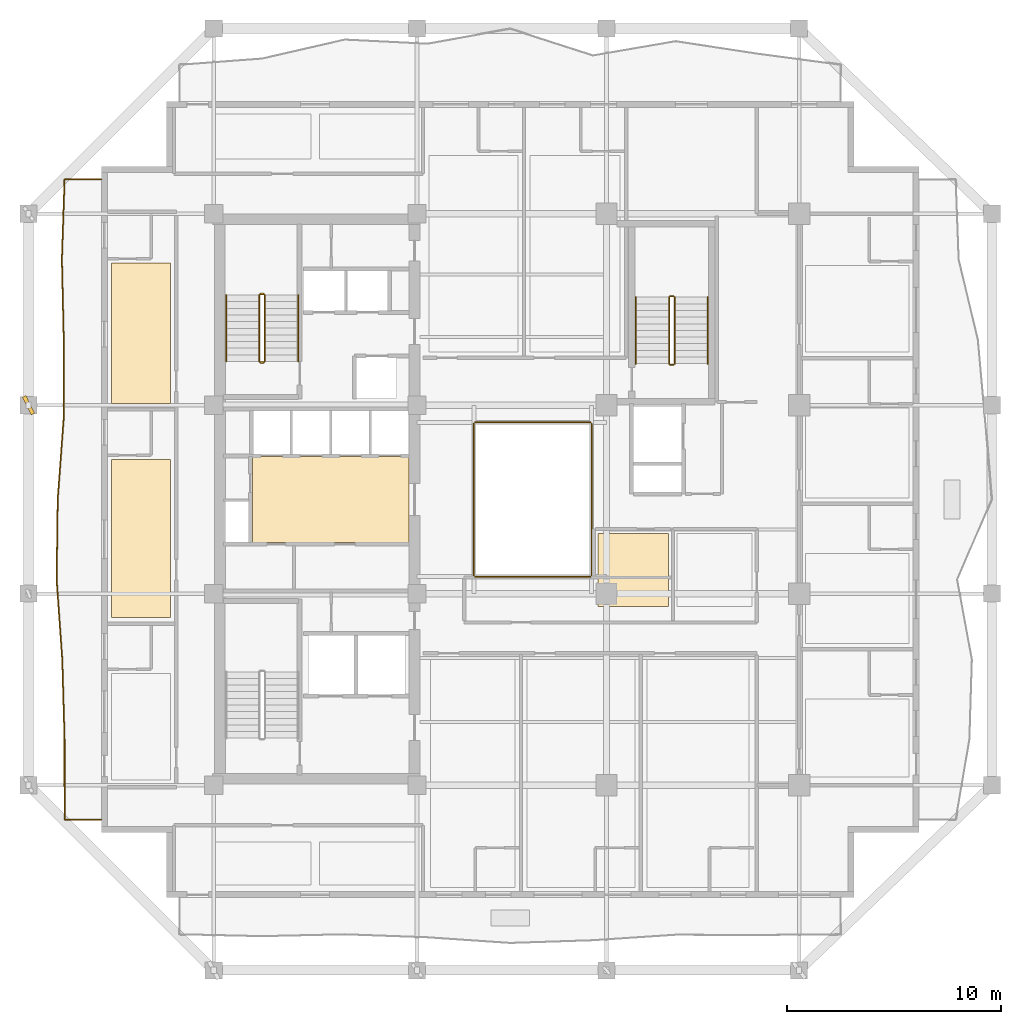
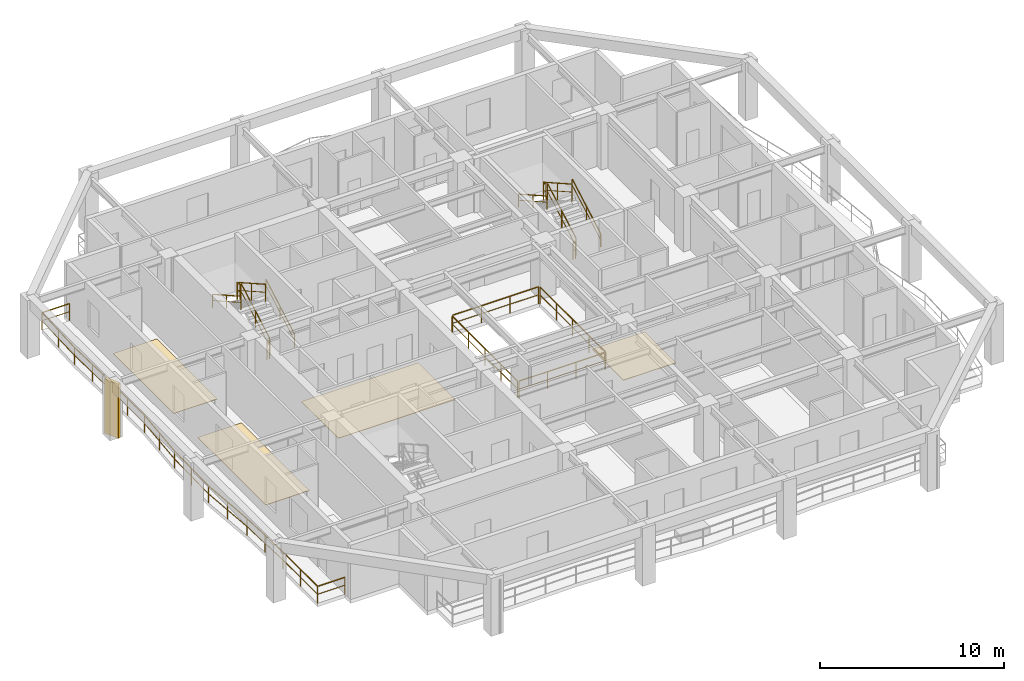
# One storey, part 10 of 12: 17 railings, 4 coverings, 1 shading device.
"""IFC4 building model written with IfcOpenShell, lengths in metres."""

from ifc_helpers import new_model, si_unit, direction, frame, origin, origin_2d, place, context, subcontext, project, spatial, polyline, rectangle, outline, extrude, material, layer, layer_set, type_object, element, save


model = new_model("IFC4")

# Units and contexts
model_context = context("Model", 3, precision=1e-05, world=origin(), true_north=direction((0.0, 1.0)))
body_context = subcontext(model_context, "Body", "Model", "MODEL_VIEW")
ifc_project = project(units=[si_unit("LENGTHUNIT", "METRE"), si_unit("AREAUNIT", "SQUARE_METRE"), si_unit("VOLUMEUNIT", "CUBIC_METRE"), si_unit("PLANEANGLEUNIT", "RADIAN"), si_unit("MASSUNIT", "GRAM", prefix="KILO")], contexts=[model_context])

# Site, building, storey
site_placement = place(None, origin())
site = spatial("IfcSite", under=ifc_project, at=site_placement, CompositionType="ELEMENT")
building_placement = place(site_placement, origin())
building = spatial("IfcBuilding", under=site, at=building_placement, Name="Kundavana Baori Tower", CompositionType="ELEMENT")
storey_placement = place(building_placement, frame((0.0, 0.0, 134.800048828125)))
storey = spatial("IfcBuildingStorey", under=building, at=storey_placement, Name="L32", CompositionType="ELEMENT", Elevation=134.800048828125)

# Coverings
ifc_material_1 = material(Name="Honed Kota Stone and Terrazzo Flooring", Category="masonry")
ifc_layer = layer(ifc_material_1, 0.030029296875, Name="COV-INT-FLR")
ifc_layer_set = layer_set([ifc_layer], Name="Honed Kota Stone and Terrazzo Flooring")
covering_type = type_object("IfcCoveringType", Name="COV-INT-FLR", PredefinedType="FLOORING", material=ifc_layer_set)
covering_1_placement = place(storey_placement, origin())
element("IfcCovering", 1, at=covering_1_placement, inside=storey, type_object=covering_type, Name="L32 Room Finished Stone Flooring 2", PredefinedType="FLOORING", context=body_context, shape_type="SweptSolid", body=[
    extrude(outline(polyline([(10.679931640625, 23.080078125), (13.419921875, 23.080078125), (13.419921875, 30.469970703125), (10.679931640625, 30.469970703125), (10.679931640625, 23.080078125)])), origin(), (0.0, 0.0, 1.0), 0.030029296875),
])
covering_2_placement = place(storey_placement, origin())
element("IfcCovering", 2, at=covering_2_placement, inside=storey, type_object=covering_type, Name="L32 Room Finished Stone Flooring 3", PredefinedType="FLOORING", context=body_context, shape_type="SweptSolid", body=[
    extrude(outline(polyline([(10.679931640625, 33.080078125), (13.419921875, 33.080078125), (13.419921875, 39.64990234375), (10.679931640625, 39.64990234375), (10.679931640625, 33.080078125)])), origin(), (0.0, 0.0, 1.0), 0.030029296875),
])
covering_3_placement = place(storey_placement, origin())
element("IfcCovering", 3, at=covering_3_placement, inside=storey, type_object=covering_type, Name="L32 Room Finished Stone Flooring 17", PredefinedType="FLOORING", context=body_context, shape_type="SweptSolid", body=[
    extrude(outline(polyline([(33.39990234375, 23.60009765625), (36.699951171875, 23.60009765625), (36.699951171875, 27.0), (33.39990234375, 27.0), (33.39990234375, 23.60009765625)])), origin(), (0.0, 0.0, 1.0), 0.030029296875),
])
covering_4_placement = place(storey_placement, origin())
element("IfcCovering", 4, at=covering_4_placement, inside=storey, type_object=covering_type, Name="L32 Core Lift Lobby Kota Stone Flooring", PredefinedType="FLOORING", context=body_context, shape_type="SweptSolid", body=[
    extrude(outline(polyline([(17.25, 26.580078125), (24.580078125, 26.580078125), (24.580078125, 30.60009765625), (17.25, 30.60009765625), (17.25, 26.580078125)])), origin(), (0.0, 0.0, 1.0), 0.030029296875),
])

# Railings
ifc_material_2 = material(Name="Architectural Patinated Bronze Metalwork")
railing_type_1 = type_object("IfcRailingType", Name="RL-BAL-1150", PredefinedType="BALUSTRADE", material=ifc_material_2)
railing_1_placement = place(storey_placement, frame((10.199951171875, 13.64990234375, 0.0)))
element("IfcRailing", 5, at=railing_1_placement, inside=storey, type_object=railing_type_1, Name="L32 Loggia Balcony Balustrade W", PredefinedType="BALUSTRADE", context=body_context, shape_type="SweptSolid", body=[
    extrude(rectangle(XDim=0.048095703125, YDim=0.048095703125, at=origin_2d()), frame((0.0, 0.0, 1.1259765625), z_axis=(-1.0, 0.0, 0.0), x_axis=(0.0, -1.0, 0.0)), (0.0, 0.0, 1.0), 1.719970703125),
    extrude(rectangle(XDim=0.03125, YDim=0.03125, at=origin_2d()), frame((0.0, 0.0, 0.597900390625), z_axis=(-1.0, 0.0, 0.0), x_axis=(0.0, -1.0, 0.0)), (0.0, 0.0, 1.0), 1.719970703125),
    extrude(rectangle(XDim=0.048095703125, YDim=0.048095703125, at=origin_2d()), frame((-1.719970703125, 0.0, 1.1259765625), z_axis=(-0.000261318342, 0.999999965856, 0.0), x_axis=(-0.999999965856, -0.000261318342, 0.0)), (0.0, 0.0, 1.0), 3.737060546875),
    extrude(rectangle(XDim=0.03125, YDim=0.03125, at=origin_2d()), frame((-1.719970703125, 0.0, 0.597900390625), z_axis=(-0.000261318342, 0.999999965856, 0.0), x_axis=(-0.999999965856, -0.000261318342, 0.0)), (0.0, 0.0, 1.0), 3.737060546875),
    extrude(rectangle(XDim=0.048095703125, YDim=0.048095703125, at=origin_2d()), frame((-1.720947265625, 3.737060546875, 1.1259765625), z_axis=(-0.028595185843, 0.999591074063, 0.0), x_axis=(-0.999591074063, -0.028595185843, 0.0)), (0.0, 0.0, 1.0), 3.739501953125),
    extrude(rectangle(XDim=0.03125, YDim=0.03125, at=origin_2d()), frame((-1.720947265625, 3.737060546875, 0.597900390625), z_axis=(-0.028595185843, 0.999591074063, 0.0), x_axis=(-0.999591074063, -0.028595185843, 0.0)), (0.0, 0.0, 1.0), 3.739501953125),
    extrude(rectangle(XDim=0.048095703125, YDim=0.048095703125, at=origin_2d()), frame((-1.827880859375, 7.47509765625, 1.1259765625), z_axis=(-0.070251297633, 0.997529325474, 0.0), x_axis=(-0.997529325474, -0.070251297633, 0.0)), (0.0, 0.0, 1.0), 3.746337890625),
    extrude(rectangle(XDim=0.03125, YDim=0.03125, at=origin_2d()), frame((-1.827880859375, 7.47509765625, 0.597900390625), z_axis=(-0.070251297633, 0.997529325474, 0.0), x_axis=(-0.997529325474, -0.070251297633, 0.0)), (0.0, 0.0, 1.0), 3.746337890625),
    extrude(rectangle(XDim=0.048095703125, YDim=0.048095703125, at=origin_2d()), frame((-2.091064453125, 11.212158203125, 1.1259765625), z_axis=(0.013387866736, 0.999910378496, 0.0), x_axis=(-0.999910378496, 0.013387866736, 0.0)), (0.0, 0.0, 1.0), 3.73828125),
    extrude(rectangle(XDim=0.03125, YDim=0.03125, at=origin_2d()), frame((-2.091064453125, 11.212158203125, 0.597900390625), z_axis=(0.013387866736, 0.999910378496, 0.0), x_axis=(-0.999910378496, 0.013387866736, 0.0)), (0.0, 0.0, 1.0), 3.73828125),
    extrude(rectangle(XDim=0.048095703125, YDim=0.048095703125, at=origin_2d()), frame((-2.041015625, 14.9501953125, 1.1259765625), z_axis=(0.073691682482, 0.997281071681, 0.0), x_axis=(-0.997281071681, 0.073691682482, 0.0)), (0.0, 0.0, 1.0), 3.7470703125),
    extrude(rectangle(XDim=0.03125, YDim=0.03125, at=origin_2d()), frame((-2.041015625, 14.9501953125, 0.597900390625), z_axis=(0.073691682482, 0.997281071681, 0.0), x_axis=(-0.997281071681, 0.073691682482, 0.0)), (0.0, 0.0, 1.0), 3.7470703125),
    extrude(rectangle(XDim=0.048095703125, YDim=0.048095703125, at=origin_2d()), frame((-1.764892578125, 18.68701171875, 1.1259765625), z_axis=(0.001567498564, 0.999998771473, 0.0), x_axis=(-0.999998771473, 0.001567498564, 0.0)), (0.0, 0.0, 1.0), 3.738037109375),
    extrude(rectangle(XDim=0.03125, YDim=0.03125, at=origin_2d()), frame((-1.764892578125, 18.68701171875, 0.597900390625), z_axis=(0.001567498564, 0.999998771473, 0.0), x_axis=(-0.999998771473, 0.001567498564, 0.0)), (0.0, 0.0, 1.0), 3.738037109375),
    extrude(rectangle(XDim=0.048095703125, YDim=0.048095703125, at=origin_2d()), frame((-1.759033203125, 22.425048828125, 1.1259765625), z_axis=(-0.02325104581, 0.999729657892, 0.0), x_axis=(-0.999729657892, -0.02325104581, 0.0)), (0.0, 0.0, 1.0), 3.738037109375),
    extrude(rectangle(XDim=0.03125, YDim=0.03125, at=origin_2d()), frame((-1.759033203125, 22.425048828125, 0.597900390625), z_axis=(-0.02325104581, 0.999729657892, 0.0), x_axis=(-0.999729657892, -0.02325104581, 0.0)), (0.0, 0.0, 1.0), 3.738037109375),
    extrude(rectangle(XDim=0.048095703125, YDim=0.048095703125, at=origin_2d()), frame((-1.845947265625, 26.162109375, 1.1259765625), z_axis=(0.033682138295, 0.999432595806, 0.0), x_axis=(-0.999432595806, 0.033682138295, 0.0)), (0.0, 0.0, 1.0), 3.740234375),
    extrude(rectangle(XDim=0.03125, YDim=0.03125, at=origin_2d()), frame((-1.845947265625, 26.162109375, 0.597900390625), z_axis=(0.033682138295, 0.999432595806, 0.0), x_axis=(-0.999432595806, 0.033682138295, 0.0)), (0.0, 0.0, 1.0), 3.740234375),
    extrude(rectangle(XDim=0.048095703125, YDim=0.048095703125, at=origin_2d()), frame((-1.719970703125, 29.900146484375, 1.1259765625), z_axis=(1.0, 0.0, 0.0), x_axis=(0.0, 1.0, 0.0)), (0.0, 0.0, 1.0), 1.719970703125),
    extrude(rectangle(XDim=0.03125, YDim=0.03125, at=origin_2d()), frame((-1.719970703125, 29.900146484375, 0.597900390625), z_axis=(1.0, 0.0, 0.0), x_axis=(0.0, 1.0, 0.0)), (0.0, 0.0, 1.0), 1.719970703125),
    extrude(rectangle(XDim=0.0419921875, YDim=0.0419921875, at=origin_2d()), origin(), (0.0, 0.0, 1.0), 1.101806640625),
    extrude(rectangle(XDim=0.0419921875, YDim=0.0419921875, at=origin_2d()), frame((-1.719970703125, 0.0, 0.0)), (0.0, 0.0, 1.0), 1.101806640625),
    extrude(rectangle(XDim=0.0419921875, YDim=0.0419921875, at=origin_2d()), frame((-1.720458984375, 1.86865234375, 0.0)), (0.0, 0.0, 1.0), 1.101806640625),
    extrude(rectangle(XDim=0.0419921875, YDim=0.0419921875, at=origin_2d()), frame((-1.720947265625, 3.737060546875, 0.0)), (0.0, 0.0, 1.0), 1.101806640625),
    extrude(rectangle(XDim=0.0419921875, YDim=0.0419921875, at=origin_2d()), frame((-1.7744140625, 5.60595703125, 0.0)), (0.0, 0.0, 1.0), 1.101806640625),
    extrude(rectangle(XDim=0.0419921875, YDim=0.0419921875, at=origin_2d()), frame((-1.827880859375, 7.47509765625, 0.0)), (0.0, 0.0, 1.0), 1.101806640625),
    extrude(rectangle(XDim=0.0419921875, YDim=0.0419921875, at=origin_2d()), frame((-1.95947265625, 9.34375, 0.0)), (0.0, 0.0, 1.0), 1.101806640625),
    extrude(rectangle(XDim=0.0419921875, YDim=0.0419921875, at=origin_2d()), frame((-2.091064453125, 11.212158203125, 0.0)), (0.0, 0.0, 1.0), 1.101806640625),
    extrude(rectangle(XDim=0.0419921875, YDim=0.0419921875, at=origin_2d()), frame((-2.06591796875, 13.0810546875, 0.0)), (0.0, 0.0, 1.0), 1.101806640625),
    extrude(rectangle(XDim=0.0419921875, YDim=0.0419921875, at=origin_2d()), frame((-2.041015625, 14.9501953125, 0.0)), (0.0, 0.0, 1.0), 1.101806640625),
    extrude(rectangle(XDim=0.0419921875, YDim=0.0419921875, at=origin_2d()), frame((-1.90283203125, 16.818603515625, 0.0)), (0.0, 0.0, 1.0), 1.101806640625),
    extrude(rectangle(XDim=0.0419921875, YDim=0.0419921875, at=origin_2d()), frame((-1.764892578125, 18.68701171875, 0.0)), (0.0, 0.0, 1.0), 1.101806640625),
    extrude(rectangle(XDim=0.0419921875, YDim=0.0419921875, at=origin_2d()), frame((-1.761962890625, 20.55615234375, 0.0)), (0.0, 0.0, 1.0), 1.101806640625),
    extrude(rectangle(XDim=0.0419921875, YDim=0.0419921875, at=origin_2d()), frame((-1.759033203125, 22.425048828125, 0.0)), (0.0, 0.0, 1.0), 1.101806640625),
    extrude(rectangle(XDim=0.0419921875, YDim=0.0419921875, at=origin_2d()), frame((-1.802490234375, 24.29345703125, 0.0)), (0.0, 0.0, 1.0), 1.101806640625),
    extrude(rectangle(XDim=0.0419921875, YDim=0.0419921875, at=origin_2d()), frame((-1.845947265625, 26.162109375, 0.0)), (0.0, 0.0, 1.0), 1.101806640625),
    extrude(rectangle(XDim=0.0419921875, YDim=0.0419921875, at=origin_2d()), frame((-1.782958984375, 28.03125, 0.0)), (0.0, 0.0, 1.0), 1.101806640625),
    extrude(rectangle(XDim=0.0419921875, YDim=0.0419921875, at=origin_2d()), frame((-1.719970703125, 29.900146484375, 0.0)), (0.0, 0.0, 1.0), 1.101806640625),
    extrude(rectangle(XDim=0.0419921875, YDim=0.0419921875, at=origin_2d()), frame((0.0, 29.900146484375, 0.0)), (0.0, 0.0, 1.0), 1.101806640625),
])
ifc_material_3 = material(Name="Architectural Patinated Bronze Metalwork")
railing_type_2 = type_object("IfcRailingType", Name="RL-GRD-1150", PredefinedType="GUARDRAIL", material=ifc_material_3)
railing_2_placement = place(storey_placement, frame((17.840087890625, 35.050048828125, 0.175048828125)))
element("IfcRailing", 6, at=railing_2_placement, inside=storey, type_object=railing_type_2, Name="L32 ST2 stair guard 1", PredefinedType="GUARDRAIL", context=body_context, shape_type="SweptSolid", body=[
    extrude(rectangle(XDim=0.048095703125, YDim=0.048095703125, at=origin_2d()), frame((0.0, 0.0, 1.1259765625), z_axis=(0.0, 0.870814364268, 0.491611984175), x_axis=(-1.0, 0.0, 0.0)), (0.0, 0.0, 1.0), 3.559814453125),
    extrude(rectangle(XDim=0.03125, YDim=0.03125, at=origin_2d()), frame((0.0, 0.0, 0.597900390625), z_axis=(0.0, 0.870814364268, 0.491611984175), x_axis=(-1.0, 0.0, 0.0)), (0.0, 0.0, 1.0), 3.559814453125),
    extrude(rectangle(XDim=0.0419921875, YDim=0.0419921875, at=origin_2d()), origin(), (0.0, 0.0, 1.0), 1.101806640625),
    extrude(rectangle(XDim=0.0419921875, YDim=0.0419921875, at=origin_2d()), frame((0.0, 1.5498046875, 0.875)), (0.0, 0.0, 1.0), 1.101806640625),
    extrude(rectangle(XDim=0.0419921875, YDim=0.0419921875, at=origin_2d()), frame((0.0, 3.099853515625, 1.75)), (0.0, 0.0, 1.0), 1.101806640625),
])
railing_3_placement = place(storey_placement, frame((17.7900390625, 38.199951171875, 1.925048828125)))
element("IfcRailing", 7, at=railing_3_placement, inside=storey, type_object=railing_type_2, Name="L32 ST2 stair guard 2", PredefinedType="GUARDRAIL", context=body_context, shape_type="SweptSolid", body=[
    extrude(rectangle(XDim=0.048095703125, YDim=0.048095703125, at=origin_2d()), frame((0.0, 0.0, 1.1259765625), z_axis=(-1.0, 0.0, 0.0), x_axis=(0.0, -1.0, 0.0)), (0.0, 0.0, 1.0), 0.16015625),
    extrude(rectangle(XDim=0.03125, YDim=0.03125, at=origin_2d()), frame((0.0, 0.0, 0.597900390625), z_axis=(-1.0, 0.0, 0.0), x_axis=(0.0, -1.0, 0.0)), (0.0, 0.0, 1.0), 0.16015625),
    extrude(rectangle(XDim=0.0419921875, YDim=0.0419921875, at=origin_2d()), origin(), (0.0, 0.0, 1.0), 1.101806640625),
    extrude(rectangle(XDim=0.0419921875, YDim=0.0419921875, at=origin_2d()), frame((-0.16015625, 0.0, 0.0)), (0.0, 0.0, 1.0), 1.101806640625),
])
railing_4_placement = place(storey_placement, frame((17.580078125, 38.14990234375, 2.099853515625)))
element("IfcRailing", 8, at=railing_4_placement, inside=storey, type_object=railing_type_2, Name="L32 ST2 stair guard 3", PredefinedType="GUARDRAIL", context=body_context, shape_type="SweptSolid", body=[
    extrude(rectangle(XDim=0.048095703125, YDim=0.048095703125, at=origin_2d()), frame((0.0, 0.0, 1.1259765625), z_axis=(0.0, -0.870814364268, 0.491611984175), x_axis=(1.0, 0.0, 0.0)), (0.0, 0.0, 1.0), 3.559814453125),
    extrude(rectangle(XDim=0.03125, YDim=0.03125, at=origin_2d()), frame((0.0, 0.0, 0.597900390625), z_axis=(0.0, -0.870814364268, 0.491611984175), x_axis=(1.0, 0.0, 0.0)), (0.0, 0.0, 1.0), 3.559814453125),
    extrude(rectangle(XDim=0.0419921875, YDim=0.0419921875, at=origin_2d()), origin(), (0.0, 0.0, 1.0), 1.101806640625),
    extrude(rectangle(XDim=0.0419921875, YDim=0.0419921875, at=origin_2d()), frame((0.0, -1.5498046875, 0.875)), (0.0, 0.0, 1.0), 1.101806640625),
    extrude(rectangle(XDim=0.0419921875, YDim=0.0419921875, at=origin_2d()), frame((0.0, -3.099853515625, 1.75)), (0.0, 0.0, 1.0), 1.101806640625),
])
railing_5_placement = place(storey_placement, frame((17.7900390625, 35.0, 0.0)))
element("IfcRailing", 9, at=railing_5_placement, inside=storey, type_object=railing_type_2, Name="L32 ST2 stair guard 4", PredefinedType="GUARDRAIL", context=body_context, shape_type="SweptSolid", body=[
    extrude(rectangle(XDim=0.048095703125, YDim=0.048095703125, at=origin_2d()), frame((0.0, 0.0, 1.1259765625), z_axis=(-1.0, 0.0, 0.0), x_axis=(0.0, -1.0, 0.0)), (0.0, 0.0, 1.0), 0.16015625),
    extrude(rectangle(XDim=0.03125, YDim=0.03125, at=origin_2d()), frame((0.0, 0.0, 0.597900390625), z_axis=(-1.0, 0.0, 0.0), x_axis=(0.0, -1.0, 0.0)), (0.0, 0.0, 1.0), 0.16015625),
    extrude(rectangle(XDim=0.0419921875, YDim=0.0419921875, at=origin_2d()), origin(), (0.0, 0.0, 1.0), 1.101806640625),
    extrude(rectangle(XDim=0.0419921875, YDim=0.0419921875, at=origin_2d()), frame((-0.16015625, 0.0, 0.0)), (0.0, 0.0, 1.0), 1.101806640625),
])
railing_6_placement = place(storey_placement, frame((36.97998046875, 34.949951171875, 0.175048828125)))
element("IfcRailing", 10, at=railing_6_placement, inside=storey, type_object=railing_type_2, Name="L32 ST3 stair guard 1", PredefinedType="GUARDRAIL", context=body_context, shape_type="SweptSolid", body=[
    extrude(rectangle(XDim=0.048095703125, YDim=0.048095703125, at=origin_2d()), frame((0.0, 0.0, 1.1259765625), z_axis=(0.0, 0.870830938388, 0.491582624537), x_axis=(-1.0, 0.0, 0.0)), (0.0, 0.0, 1.0), 3.559814453125),
    extrude(rectangle(XDim=0.03125, YDim=0.03125, at=origin_2d()), frame((0.0, 0.0, 0.597900390625), z_axis=(0.0, 0.870830938388, 0.491582624537), x_axis=(-1.0, 0.0, 0.0)), (0.0, 0.0, 1.0), 3.559814453125),
    extrude(rectangle(XDim=0.0419921875, YDim=0.0419921875, at=origin_2d()), origin(), (0.0, 0.0, 1.0), 1.101806640625),
    extrude(rectangle(XDim=0.0419921875, YDim=0.0419921875, at=origin_2d()), frame((0.0, 1.550048828125, 0.875)), (0.0, 0.0, 1.0), 1.101806640625),
    extrude(rectangle(XDim=0.0419921875, YDim=0.0419921875, at=origin_2d()), frame((0.0, 3.10009765625, 1.75)), (0.0, 0.0, 1.0), 1.101806640625),
])
railing_7_placement = place(storey_placement, frame((36.929931640625, 38.10009765625, 1.925048828125)))
element("IfcRailing", 11, at=railing_7_placement, inside=storey, type_object=railing_type_2, Name="L32 ST3 stair guard 2", PredefinedType="GUARDRAIL", context=body_context, shape_type="SweptSolid", body=[
    extrude(rectangle(XDim=0.048095703125, YDim=0.048095703125, at=origin_2d()), frame((0.0, 0.0, 1.1259765625), z_axis=(-1.0, 0.0, 0.0), x_axis=(0.0, -1.0, 0.0)), (0.0, 0.0, 1.0), 0.159912109375),
    extrude(rectangle(XDim=0.03125, YDim=0.03125, at=origin_2d()), frame((0.0, 0.0, 0.597900390625), z_axis=(-1.0, 0.0, 0.0), x_axis=(0.0, -1.0, 0.0)), (0.0, 0.0, 1.0), 0.159912109375),
    extrude(rectangle(XDim=0.0419921875, YDim=0.0419921875, at=origin_2d()), origin(), (0.0, 0.0, 1.0), 1.101806640625),
    extrude(rectangle(XDim=0.0419921875, YDim=0.0419921875, at=origin_2d()), frame((-0.159912109375, 0.0, 0.0)), (0.0, 0.0, 1.0), 1.101806640625),
])
railing_8_placement = place(storey_placement, frame((36.719970703125, 38.050048828125, 2.099853515625)))
element("IfcRailing", 12, at=railing_8_placement, inside=storey, type_object=railing_type_2, Name="L32 ST3 stair guard 3", PredefinedType="GUARDRAIL", context=body_context, shape_type="SweptSolid", body=[
    extrude(rectangle(XDim=0.048095703125, YDim=0.048095703125, at=origin_2d()), frame((0.0, 0.0, 1.1259765625), z_axis=(0.0, -0.870830938388, 0.491582624537), x_axis=(1.0, 0.0, 0.0)), (0.0, 0.0, 1.0), 3.559814453125),
    extrude(rectangle(XDim=0.03125, YDim=0.03125, at=origin_2d()), frame((0.0, 0.0, 0.597900390625), z_axis=(0.0, -0.870830938388, 0.491582624537), x_axis=(1.0, 0.0, 0.0)), (0.0, 0.0, 1.0), 3.559814453125),
    extrude(rectangle(XDim=0.0419921875, YDim=0.0419921875, at=origin_2d()), origin(), (0.0, 0.0, 1.0), 1.101806640625),
    extrude(rectangle(XDim=0.0419921875, YDim=0.0419921875, at=origin_2d()), frame((0.0, -1.550048828125, 0.875)), (0.0, 0.0, 1.0), 1.101806640625),
    extrude(rectangle(XDim=0.0419921875, YDim=0.0419921875, at=origin_2d()), frame((0.0, -3.10009765625, 1.75)), (0.0, 0.0, 1.0), 1.101806640625),
])
railing_9_placement = place(storey_placement, frame((36.929931640625, 34.89990234375, 0.0)))
element("IfcRailing", 13, at=railing_9_placement, inside=storey, type_object=railing_type_2, Name="L32 ST3 stair guard 4", PredefinedType="GUARDRAIL", context=body_context, shape_type="SweptSolid", body=[
    extrude(rectangle(XDim=0.048095703125, YDim=0.048095703125, at=origin_2d()), frame((0.0, 0.0, 1.1259765625), z_axis=(-1.0, 0.0, 0.0), x_axis=(0.0, -1.0, 0.0)), (0.0, 0.0, 1.0), 0.159912109375),
    extrude(rectangle(XDim=0.03125, YDim=0.03125, at=origin_2d()), frame((0.0, 0.0, 0.597900390625), z_axis=(-1.0, 0.0, 0.0), x_axis=(0.0, -1.0, 0.0)), (0.0, 0.0, 1.0), 0.159912109375),
    extrude(rectangle(XDim=0.0419921875, YDim=0.0419921875, at=origin_2d()), origin(), (0.0, 0.0, 1.0), 1.101806640625),
    extrude(rectangle(XDim=0.0419921875, YDim=0.0419921875, at=origin_2d()), frame((-0.159912109375, 0.0, 0.0)), (0.0, 0.0, 1.0), 1.101806640625),
])
railing_10_placement = place(storey_placement, frame((27.659912109375, 25.0, 0.0)))
element("IfcRailing", 14, at=railing_10_placement, inside=storey, type_object=railing_type_2, Name="L32 Atrium Void Perimeter Guardrail S", PredefinedType="GUARDRAIL", context=body_context, shape_type="SweptSolid", body=[
    extrude(rectangle(XDim=0.048095703125, YDim=0.048095703125, at=origin_2d()), frame((0.0, 0.0, 1.1259765625), z_axis=(1.0, 0.0, 0.0), x_axis=(0.0, 1.0, 0.0)), (0.0, 0.0, 1.0), 5.380126953125),
    extrude(rectangle(XDim=0.03125, YDim=0.03125, at=origin_2d()), frame((0.0, 0.0, 0.597900390625), z_axis=(1.0, 0.0, 0.0), x_axis=(0.0, 1.0, 0.0)), (0.0, 0.0, 1.0), 5.380126953125),
    extrude(rectangle(XDim=0.0419921875, YDim=0.0419921875, at=origin_2d()), origin(), (0.0, 0.0, 1.0), 1.101806640625),
    extrude(rectangle(XDim=0.0419921875, YDim=0.0419921875, at=origin_2d()), frame((1.79345703125, 0.0, 0.0)), (0.0, 0.0, 1.0), 1.101806640625),
    extrude(rectangle(XDim=0.0419921875, YDim=0.0419921875, at=origin_2d()), frame((3.586669921875, 0.0, 0.0)), (0.0, 0.0, 1.0), 1.101806640625),
    extrude(rectangle(XDim=0.0419921875, YDim=0.0419921875, at=origin_2d()), frame((5.380126953125, 0.0, 0.0)), (0.0, 0.0, 1.0), 1.101806640625),
])
railing_11_placement = place(storey_placement, frame((33.10009765625, 25.06005859375, 0.0)))
element("IfcRailing", 15, at=railing_11_placement, inside=storey, type_object=railing_type_2, Name="L32 Atrium Void Perimeter Guardrail E", PredefinedType="GUARDRAIL", context=body_context, shape_type="SweptSolid", body=[
    extrude(rectangle(XDim=0.048095703125, YDim=0.048095703125, at=origin_2d()), frame((0.0, 0.0, 1.1259765625), z_axis=(0.0, 1.0, 0.0), x_axis=(-1.0, 0.0, 0.0)), (0.0, 0.0, 1.0), 7.079833984375),
    extrude(rectangle(XDim=0.03125, YDim=0.03125, at=origin_2d()), frame((0.0, 0.0, 0.597900390625), z_axis=(0.0, 1.0, 0.0), x_axis=(-1.0, 0.0, 0.0)), (0.0, 0.0, 1.0), 7.079833984375),
    extrude(rectangle(XDim=0.0419921875, YDim=0.0419921875, at=origin_2d()), origin(), (0.0, 0.0, 1.0), 1.101806640625),
    extrude(rectangle(XDim=0.0419921875, YDim=0.0419921875, at=origin_2d()), frame((0.0, 1.77001953125, 0.0)), (0.0, 0.0, 1.0), 1.101806640625),
    extrude(rectangle(XDim=0.0419921875, YDim=0.0419921875, at=origin_2d()), frame((0.0, 3.5400390625, 0.0)), (0.0, 0.0, 1.0), 1.101806640625),
    extrude(rectangle(XDim=0.0419921875, YDim=0.0419921875, at=origin_2d()), frame((0.0, 5.309814453125, 0.0)), (0.0, 0.0, 1.0), 1.101806640625),
    extrude(rectangle(XDim=0.0419921875, YDim=0.0419921875, at=origin_2d()), frame((0.0, 7.079833984375, 0.0)), (0.0, 0.0, 1.0), 1.101806640625),
])
railing_12_placement = place(storey_placement, frame((33.0400390625, 32.199951171875, 0.0)))
element("IfcRailing", 16, at=railing_12_placement, inside=storey, type_object=railing_type_2, Name="L32 Atrium Void Perimeter Guardrail N", PredefinedType="GUARDRAIL", context=body_context, shape_type="SweptSolid", body=[
    extrude(rectangle(XDim=0.048095703125, YDim=0.048095703125, at=origin_2d()), frame((0.0, 0.0, 1.1259765625), z_axis=(-1.0, 0.0, 0.0), x_axis=(0.0, -1.0, 0.0)), (0.0, 0.0, 1.0), 5.380126953125),
    extrude(rectangle(XDim=0.03125, YDim=0.03125, at=origin_2d()), frame((0.0, 0.0, 0.597900390625), z_axis=(-1.0, 0.0, 0.0), x_axis=(0.0, -1.0, 0.0)), (0.0, 0.0, 1.0), 5.380126953125),
    extrude(rectangle(XDim=0.0419921875, YDim=0.0419921875, at=origin_2d()), origin(), (0.0, 0.0, 1.0), 1.101806640625),
    extrude(rectangle(XDim=0.0419921875, YDim=0.0419921875, at=origin_2d()), frame((-1.79345703125, 0.0, 0.0)), (0.0, 0.0, 1.0), 1.101806640625),
    extrude(rectangle(XDim=0.0419921875, YDim=0.0419921875, at=origin_2d()), frame((-3.586669921875, 0.0, 0.0)), (0.0, 0.0, 1.0), 1.101806640625),
    extrude(rectangle(XDim=0.0419921875, YDim=0.0419921875, at=origin_2d()), frame((-5.380126953125, 0.0, 0.0)), (0.0, 0.0, 1.0), 1.101806640625),
])
railing_13_placement = place(storey_placement, frame((27.60009765625, 32.139892578125, 0.0)))
element("IfcRailing", 17, at=railing_13_placement, inside=storey, type_object=railing_type_2, Name="L32 Atrium Void Perimeter Guardrail W", PredefinedType="GUARDRAIL", context=body_context, shape_type="SweptSolid", body=[
    extrude(rectangle(XDim=0.048095703125, YDim=0.048095703125, at=origin_2d()), frame((0.0, 0.0, 1.1259765625), z_axis=(0.0, -1.0, 0.0), x_axis=(1.0, 0.0, 0.0)), (0.0, 0.0, 1.0), 7.079833984375),
    extrude(rectangle(XDim=0.03125, YDim=0.03125, at=origin_2d()), frame((0.0, 0.0, 0.597900390625), z_axis=(0.0, -1.0, 0.0), x_axis=(1.0, 0.0, 0.0)), (0.0, 0.0, 1.0), 7.079833984375),
    extrude(rectangle(XDim=0.0419921875, YDim=0.0419921875, at=origin_2d()), origin(), (0.0, 0.0, 1.0), 1.101806640625),
    extrude(rectangle(XDim=0.0419921875, YDim=0.0419921875, at=origin_2d()), frame((0.0, -1.77001953125, 0.0)), (0.0, 0.0, 1.0), 1.101806640625),
    extrude(rectangle(XDim=0.0419921875, YDim=0.0419921875, at=origin_2d()), frame((0.0, -3.5400390625, 0.0)), (0.0, 0.0, 1.0), 1.101806640625),
    extrude(rectangle(XDim=0.0419921875, YDim=0.0419921875, at=origin_2d()), frame((0.0, -5.309814453125, 0.0)), (0.0, 0.0, 1.0), 1.101806640625),
    extrude(rectangle(XDim=0.0419921875, YDim=0.0419921875, at=origin_2d()), frame((0.0, -7.079833984375, 0.0)), (0.0, 0.0, 1.0), 1.101806640625),
])
ifc_material_4 = material(Name="Architectural Patinated Bronze Metalwork")
railing_type_3 = type_object("IfcRailingType", Name="RL-HND-920", PredefinedType="HANDRAIL", material=ifc_material_4)
railing_14_placement = place(storey_placement, frame((19.389892578125, 35.050048828125, 0.175048828125)))
element("IfcRailing", 18, at=railing_14_placement, inside=storey, type_object=railing_type_3, Name="L32 ST2 stair handrail 1", PredefinedType="HANDRAIL", context=body_context, shape_type="SweptSolid", body=[
    extrude(rectangle(XDim=0.048095703125, YDim=0.048095703125, at=origin_2d()), frame((0.0, 0.0, 0.8759765625), z_axis=(0.0, 0.870814364268, 0.491611984175), x_axis=(-1.0, 0.0, 0.0)), (0.0, 0.0, 1.0), 3.559814453125),
    extrude(rectangle(XDim=0.03125, YDim=0.03125, at=origin_2d()), frame((0.0, 0.0, 0.468017578125), z_axis=(0.0, 0.870814364268, 0.491611984175), x_axis=(-1.0, 0.0, 0.0)), (0.0, 0.0, 1.0), 3.559814453125),
    extrude(rectangle(XDim=0.0419921875, YDim=0.0419921875, at=origin_2d()), origin(), (0.0, 0.0, 1.0), 0.851806640625),
    extrude(rectangle(XDim=0.0419921875, YDim=0.0419921875, at=origin_2d()), frame((0.0, 1.5498046875, 0.875)), (0.0, 0.0, 1.0), 0.851806640625),
    extrude(rectangle(XDim=0.0419921875, YDim=0.0419921875, at=origin_2d()), frame((0.0, 3.099853515625, 1.75)), (0.0, 0.0, 1.0), 0.851806640625),
])
railing_15_placement = place(storey_placement, frame((16.030029296875, 38.14990234375, 2.099853515625)))
element("IfcRailing", 19, at=railing_15_placement, inside=storey, type_object=railing_type_3, Name="L32 ST2 stair handrail 2", PredefinedType="HANDRAIL", context=body_context, shape_type="SweptSolid", body=[
    extrude(rectangle(XDim=0.048095703125, YDim=0.048095703125, at=origin_2d()), frame((0.0, 0.0, 0.8759765625), z_axis=(0.0, -0.870814364268, 0.491611984175), x_axis=(1.0, 0.0, 0.0)), (0.0, 0.0, 1.0), 3.559814453125),
    extrude(rectangle(XDim=0.03125, YDim=0.03125, at=origin_2d()), frame((0.0, 0.0, 0.468017578125), z_axis=(0.0, -0.870814364268, 0.491611984175), x_axis=(1.0, 0.0, 0.0)), (0.0, 0.0, 1.0), 3.559814453125),
    extrude(rectangle(XDim=0.0419921875, YDim=0.0419921875, at=origin_2d()), origin(), (0.0, 0.0, 1.0), 0.851806640625),
    extrude(rectangle(XDim=0.0419921875, YDim=0.0419921875, at=origin_2d()), frame((0.0, -1.5498046875, 0.875)), (0.0, 0.0, 1.0), 0.851806640625),
    extrude(rectangle(XDim=0.0419921875, YDim=0.0419921875, at=origin_2d()), frame((0.0, -3.099853515625, 1.75)), (0.0, 0.0, 1.0), 0.851806640625),
])
railing_16_placement = place(storey_placement, frame((38.530029296875, 34.949951171875, 0.175048828125)))
element("IfcRailing", 20, at=railing_16_placement, inside=storey, type_object=railing_type_3, Name="L32 ST3 stair handrail 1", PredefinedType="HANDRAIL", context=body_context, shape_type="SweptSolid", body=[
    extrude(rectangle(XDim=0.048095703125, YDim=0.048095703125, at=origin_2d()), frame((0.0, 0.0, 0.8759765625), z_axis=(0.0, 0.870830938388, 0.491582624537), x_axis=(-1.0, 0.0, 0.0)), (0.0, 0.0, 1.0), 3.559814453125),
    extrude(rectangle(XDim=0.03125, YDim=0.03125, at=origin_2d()), frame((0.0, 0.0, 0.468017578125), z_axis=(0.0, 0.870830938388, 0.491582624537), x_axis=(-1.0, 0.0, 0.0)), (0.0, 0.0, 1.0), 3.559814453125),
    extrude(rectangle(XDim=0.0419921875, YDim=0.0419921875, at=origin_2d()), origin(), (0.0, 0.0, 1.0), 0.851806640625),
    extrude(rectangle(XDim=0.0419921875, YDim=0.0419921875, at=origin_2d()), frame((0.0, 1.550048828125, 0.875)), (0.0, 0.0, 1.0), 0.851806640625),
    extrude(rectangle(XDim=0.0419921875, YDim=0.0419921875, at=origin_2d()), frame((0.0, 3.10009765625, 1.75)), (0.0, 0.0, 1.0), 0.851806640625),
])
railing_17_placement = place(storey_placement, frame((35.169921875, 38.050048828125, 2.099853515625)))
element("IfcRailing", 21, at=railing_17_placement, inside=storey, type_object=railing_type_3, Name="L32 ST3 stair handrail 2", PredefinedType="HANDRAIL", context=body_context, shape_type="SweptSolid", body=[
    extrude(rectangle(XDim=0.048095703125, YDim=0.048095703125, at=origin_2d()), frame((0.0, 0.0, 0.8759765625), z_axis=(0.0, -0.870830938388, 0.491582624537), x_axis=(1.0, 0.0, 0.0)), (0.0, 0.0, 1.0), 3.559814453125),
    extrude(rectangle(XDim=0.03125, YDim=0.03125, at=origin_2d()), frame((0.0, 0.0, 0.468017578125), z_axis=(0.0, -0.870830938388, 0.491582624537), x_axis=(1.0, 0.0, 0.0)), (0.0, 0.0, 1.0), 3.559814453125),
    extrude(rectangle(XDim=0.0419921875, YDim=0.0419921875, at=origin_2d()), origin(), (0.0, 0.0, 1.0), 0.851806640625),
    extrude(rectangle(XDim=0.0419921875, YDim=0.0419921875, at=origin_2d()), frame((0.0, -1.550048828125, 0.875)), (0.0, 0.0, 1.0), 0.851806640625),
    extrude(rectangle(XDim=0.0419921875, YDim=0.0419921875, at=origin_2d()), frame((0.0, -3.10009765625, 1.75)), (0.0, 0.0, 1.0), 0.851806640625),
])

# Shading device
ifc_material_5 = material(Name="Red-Buff Dholpur Sandstone Cladding on Concrete C40/50", Category="masonry")
shading_device_type = type_object("IfcShadingDeviceType", Name="SHD-FIN-920", PredefinedType="JALOUSIE", material=ifc_material_5)
shading_device_placement = place(storey_placement, frame((6.800048828125, 33.0, 0.0), z_axis=(0.0, 0.0, 1.0), x_axis=(0.899176255008, 0.437586634199, 0.0)))
element("IfcShadingDevice", 22, at=shading_device_placement, inside=storey, type_object=shading_device_type, Name="L32 Sweeping Dholpur Sandstone Facade Fin 7", PredefinedType="JALOUSIE", context=body_context, shape_type="SweptSolid", body=[
    extrude(rectangle(XDim=0.179931640625, YDim=0.919921875, at=origin_2d()), origin(), (0.0, 0.0, 1.0), 3.60009765625),
])

save(model, "model.ifc")
